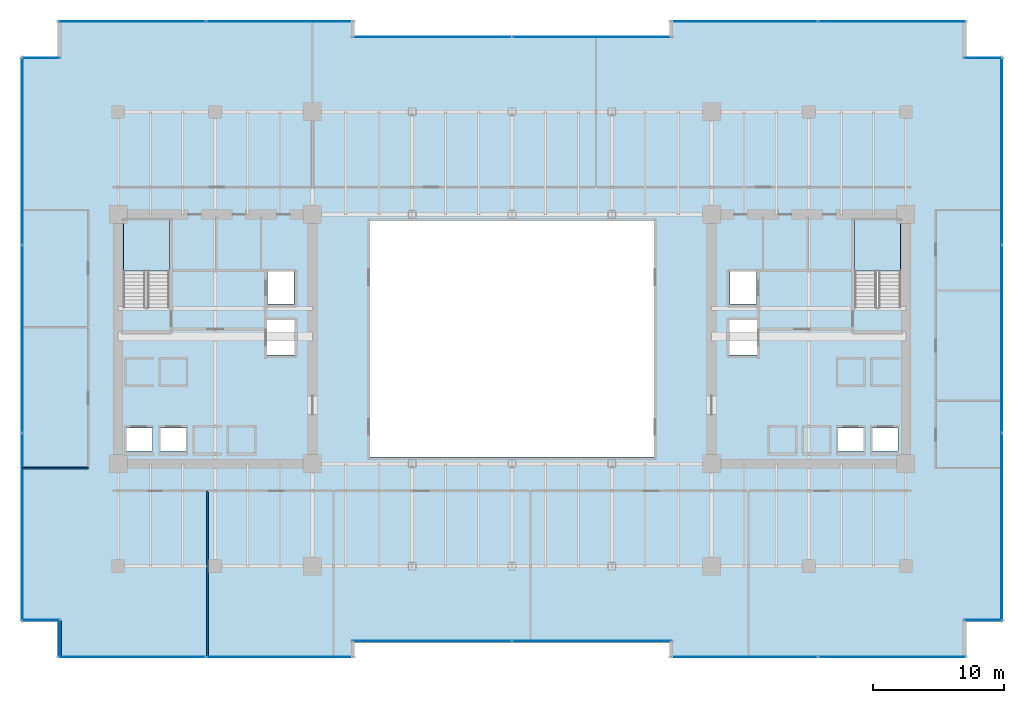
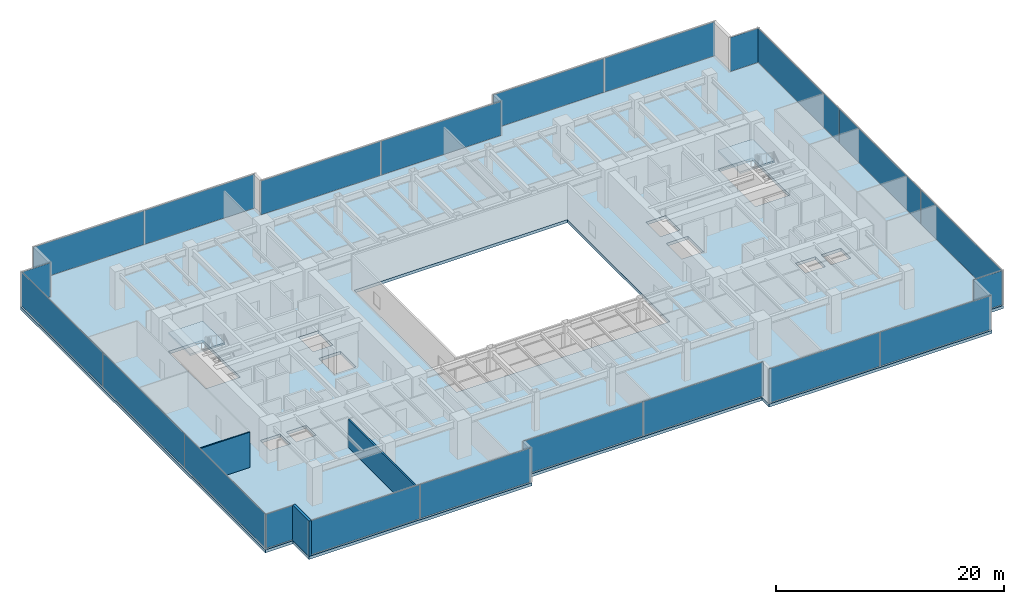
# One storey, part 28 of 35: 22 plates, 3 slabs, 3 walls, 14 elements without a shape of their own.
"""IFC4 building model written with IfcOpenShell, lengths in metres."""

from ifc_helpers import new_model, si_unit, direction, frame, frame_2d, origin, origin_2d, place, context, subcontext, project, spatial, polyline, rectangle, outline, extrude, source, transform, mapped, material, layer, layer_set, type_object, type_shapes, element, aggregate, save


model = new_model("IFC4")

# Units and contexts
model_context = context("Model", 3, precision=1e-05, world=origin(), true_north=direction((0.0, 1.0)))
body_context = subcontext(model_context, "Body", "Model", "MODEL_VIEW")
ifc_project = project(units=[si_unit("LENGTHUNIT", "METRE"), si_unit("AREAUNIT", "SQUARE_METRE"), si_unit("VOLUMEUNIT", "CUBIC_METRE"), si_unit("PLANEANGLEUNIT", "RADIAN"), si_unit("MASSUNIT", "GRAM", prefix="KILO")], contexts=[model_context])

# Site, building, storey
site_placement = place(None, origin())
site = spatial("IfcSite", under=ifc_project, at=site_placement, CompositionType="ELEMENT")
building_placement = place(site_placement, origin())
building = spatial("IfcBuilding", under=site, at=building_placement, Name="Haelvirn Gate Laboratories", CompositionType="ELEMENT")
storey_placement = place(building_placement, frame((0.0, 0.0, 45.699951171875)))
storey = spatial("IfcBuildingStorey", under=building, at=storey_placement, Name="L11", CompositionType="ELEMENT", Elevation=45.699951171875)

# Stair, slab
ifc_material_1 = material(Name="Concrete C40/50", Category="concrete")
stair_type = type_object("IfcStairType", Name="ST-DOG-1650-R22", PredefinedType="HALF_TURN_STAIR", material=ifc_material_1)
stair_1_placement = place(storey_placement, origin())
stair_1 = element("IfcStair", 1, at=stair_1_placement, inside=storey, type_object=stair_type, Name="L11 Escape Stair ST1", PredefinedType="HALF_TURN_STAIR")
ifc_layer_1 = layer(ifc_material_1, 0.199951171875, Name="SL-STAIR-LND")
ifc_layer_set_1 = layer_set([ifc_layer_1], Name="Concrete C40/50")
slab_type_1 = type_object("IfcSlabType", Name="SL-STAIR-LND", PredefinedType="LANDING", material=ifc_layer_set_1)
slab_1_placement = place(storey_placement, frame((0.0, 0.0, 1.85009765625)))
slab_1 = element("IfcSlab", 2, at=slab_1_placement, type_object=slab_type_1, Name="ST1 landing 1", PredefinedType="LANDING", context=body_context, shape_type="SweptSolid", body=[
    extrude(outline(polyline([(11.300048828125, 29.5), (11.300048828125, 33.35009765625), (7.800048828125, 33.35009765625), (7.800048828125, 29.5), (11.300048828125, 29.5)])), origin(), (0.0, 0.0, 1.0), 0.199951171875),
])
aggregate(stair_1, [slab_1])

stair_2_placement = place(storey_placement, origin())
stair_2 = element("IfcStair", 3, at=stair_2_placement, inside=storey, type_object=stair_type, Name="L11 Escape Stair ST2", PredefinedType="HALF_TURN_STAIR")
slab_2_placement = place(storey_placement, frame((0.0, 0.0, 1.85009765625)))
slab_2 = element("IfcSlab", 4, at=slab_2_placement, type_object=slab_type_1, Name="ST2 landing 1", PredefinedType="LANDING", context=body_context, shape_type="SweptSolid", body=[
    extrude(outline(polyline([(67.0, 29.5), (67.0, 33.35009765625), (63.5, 33.35009765625), (63.5, 29.5), (67.0, 29.5)])), origin(), (0.0, 0.0, 1.0), 0.199951171875),
])
aggregate(stair_2, [slab_2])

# Slab
ifc_material_2 = material(Name="Concrete C50/60", Category="concrete")
ifc_layer_2 = layer(ifc_material_2, 0.320068359375, Name="SL-Z1-320")
ifc_layer_set_2 = layer_set([ifc_layer_2], Name="Concrete C50/60")
slab_type_2 = type_object("IfcSlabType", Name="SL-Z1-320", PredefinedType="FLOOR", material=ifc_layer_set_2)
slab_3_placement = place(storey_placement, frame((0.0, 0.0, -0.320068359375)))
element("IfcSlab", 5, at=slab_3_placement, inside=storey, type_object=slab_type_2, Name="L11 Structural Slab MAIN", PredefinedType="FLOOR", context=body_context, shape_type="SweptSolid", body=[
    extrude(outline(polyline([(2.800048828125, 0.0), (25.39990234375, 0.0), (25.39990234375, 1.199951171875), (49.39990234375, 1.199951171875), (49.39990234375, 0.0), (72.0, 0.0), (72.0, 2.800048828125), (74.800048828125, 2.800048828125), (74.800048828125, 45.800048828125), (72.0, 45.800048828125), (72.0, 48.60009765625), (49.39990234375, 48.60009765625), (49.39990234375, 47.39990234375), (25.39990234375, 47.39990234375), (25.39990234375, 48.60009765625), (2.800048828125, 48.60009765625), (2.800048828125, 45.800048828125), (0.0, 45.800048828125), (0.0, 2.800048828125), (2.800048828125, 2.800048828125), (2.800048828125, 0.0)]), holes=[polyline([(26.60009765625, 15.300048828125), (48.199951171875, 15.300048828125), (48.199951171875, 33.300048828125), (26.60009765625, 33.300048828125), (26.60009765625, 15.300048828125)]), polyline([(11.300048828125, 26.780029296875), (11.300048828125, 33.35009765625), (7.800048828125, 33.35009765625), (7.800048828125, 26.780029296875), (11.300048828125, 26.780029296875)]), polyline([(67.0, 26.780029296875), (67.0, 33.35009765625), (63.5, 33.35009765625), (63.5, 26.780029296875), (67.0, 26.780029296875)]), polyline([(7.989990234375, 15.77001953125), (10.010009765625, 15.77001953125), (10.010009765625, 17.510009765625), (7.989990234375, 17.510009765625), (7.989990234375, 15.77001953125)]), polyline([(10.590087890625, 15.77001953125), (12.610107421875, 15.77001953125), (12.610107421875, 17.510009765625), (10.590087890625, 17.510009765625), (10.590087890625, 15.77001953125)]), polyline([(18.7900390625, 26.969970703125), (20.81005859375, 26.969970703125), (20.81005859375, 29.510009765625), (18.7900390625, 29.510009765625), (18.7900390625, 26.969970703125)]), polyline([(18.68994140625, 23.070068359375), (20.909912109375, 23.070068359375), (20.909912109375, 25.81005859375), (18.68994140625, 25.81005859375), (18.68994140625, 23.070068359375)]), polyline([(64.7900390625, 15.77001953125), (66.81005859375, 15.77001953125), (66.81005859375, 17.510009765625), (64.7900390625, 17.510009765625), (64.7900390625, 15.77001953125)]), polyline([(62.18994140625, 15.77001953125), (64.2099609375, 15.77001953125), (64.2099609375, 17.510009765625), (62.18994140625, 17.510009765625), (62.18994140625, 15.77001953125)]), polyline([(53.989990234375, 26.969970703125), (56.010009765625, 26.969970703125), (56.010009765625, 29.510009765625), (53.989990234375, 29.510009765625), (53.989990234375, 26.969970703125)]), polyline([(53.889892578125, 23.070068359375), (56.110107421875, 23.070068359375), (56.110107421875, 25.81005859375), (53.889892578125, 25.81005859375), (53.889892578125, 23.070068359375)])]), origin(), (0.0, 0.0, 1.0), 0.320068359375),
])

# Curtain wall, plates
ifc_material_3 = material(Name="Anodised bronze unitised aluminium & triple low-E glass", Category="aluminium")
ifc_layer_3 = layer(ifc_material_3, 0.18408203125, Name="CW-SYS-2")
ifc_layer_set_3 = layer_set([ifc_layer_3], Name="Anodised bronze unitised aluminium & triple low-E glass")
curtain_wall_type_1 = type_object("IfcCurtainWallType", Name="CW-SYS-2", PredefinedType="NOTDEFINED", material=ifc_layer_set_3)
curtain_wall_1_placement = place(storey_placement, origin())
curtain_wall_1 = element("IfcCurtainWall", 6, at=curtain_wall_1_placement, inside=storey, type_object=curtain_wall_type_1, Name="L11 Unitised Curtain Wall CW-L11-P0-E02-1", PredefinedType="NOTDEFINED")
ifc_material_4 = material(Name="Bronze solar-control triple low-E IGU 44 mm", Category="glass")
ifc_layer_4 = layer(ifc_material_4, 0.0439453125, Name="CWP-IGU-44")
ifc_layer_set_4 = layer_set([ifc_layer_4], Name="Bronze solar-control triple low-E IGU 44 mm")
plate_type_1 = type_object("IfcPlateType", Name="CWP-IGU-44", PredefinedType="CURTAIN_PANEL", material=ifc_layer_set_4)
shared_shape_1 = source(origin(), body_context, "Body", "SweptSolid", [
    extrude(rectangle(XDim=12.12744140625, YDim=0.0439453125, at=origin_2d()), origin(), (0.0, 0.0, 1.0), 3.639892578125),
])
plate_1_placement = place(storey_placement, frame((31.298828125, 1.300048828125, 0.0703125), z_axis=(0.0, 0.0, 1.0), x_axis=(1.0, 0.0, 0.0)))
plate_1 = element("IfcPlate", 7, at=plate_1_placement, type_object=plate_type_1, Name="CW2 panel 1.1", PredefinedType="CURTAIN_PANEL", context=body_context, shape_type="MappedRepresentation", body=[
    mapped(shared_shape_1, transform((0.0, 0.0, 0.0), scale=1.0)),
])
plate_2_placement = place(storey_placement, frame((43.501220703125, 1.300048828125, 0.0703125), z_axis=(0.0, 0.0, 1.0), x_axis=(1.0, 0.0, 0.0)))
plate_2 = element("IfcPlate", 8, at=plate_2_placement, type_object=plate_type_1, Name="CW2 panel 2.1", PredefinedType="CURTAIN_PANEL", context=body_context, shape_type="MappedRepresentation", body=[
    mapped(shared_shape_1, transform((0.0, 0.0, 0.0), scale=1.0)),
])
aggregate(curtain_wall_1, [plate_1, plate_2])

curtain_wall_2_placement = place(storey_placement, origin())
curtain_wall_2 = element("IfcCurtainWall", 9, at=curtain_wall_2_placement, inside=storey, type_object=curtain_wall_type_1, Name="L11 Unitised Curtain Wall CW-L11-P0-E12-1", PredefinedType="NOTDEFINED")
plate_3_placement = place(storey_placement, frame((31.298828125, 47.300048828125, 0.0703125), z_axis=(0.0, 0.0, 1.0), x_axis=(1.0, 0.0, 0.0)))
plate_3 = element("IfcPlate", 10, at=plate_3_placement, type_object=plate_type_1, Name="CW2 panel 1.1", PredefinedType="CURTAIN_PANEL", context=body_context, shape_type="MappedRepresentation", body=[
    mapped(shared_shape_1, transform((0.0, 0.0, 0.0), scale=1.0)),
])
plate_4_placement = place(storey_placement, frame((43.501220703125, 47.300048828125, 0.0703125), z_axis=(0.0, 0.0, 1.0), x_axis=(1.0, 0.0, 0.0)))
plate_4 = element("IfcPlate", 11, at=plate_4_placement, type_object=plate_type_1, Name="CW2 panel 2.1", PredefinedType="CURTAIN_PANEL", context=body_context, shape_type="MappedRepresentation", body=[
    mapped(shared_shape_1, transform((0.0, 0.0, 0.0), scale=1.0)),
])
aggregate(curtain_wall_2, [plate_3, plate_4])

curtain_wall_3_placement = place(storey_placement, origin())
curtain_wall_3 = element("IfcCurtainWall", 12, at=curtain_wall_3_placement, inside=storey, type_object=curtain_wall_type_1, Name="L11 Unitised Curtain Wall CW-L11-P0-E00-1", PredefinedType="NOTDEFINED")
shared_shape_2 = source(origin(), body_context, "Body", "SweptSolid", [
    extrude(rectangle(XDim=11.1875, YDim=0.0439453125, at=origin_2d()), origin(), (0.0, 0.0, 1.0), 3.639892578125),
])
plate_5_placement = place(storey_placement, frame((8.46875, 0.10009765625, 0.0703125), z_axis=(0.0, 0.0, 1.0), x_axis=(1.0, 0.0, 0.0)))
plate_5 = element("IfcPlate", 13, at=plate_5_placement, type_object=plate_type_1, Name="CW2 panel 1.1", PredefinedType="CURTAIN_PANEL", context=body_context, shape_type="MappedRepresentation", body=[
    mapped(shared_shape_2, transform((0.0, 0.0, 0.0), scale=1.0)),
])
plate_6_placement = place(storey_placement, frame((19.731201171875, 0.10009765625, 0.0703125), z_axis=(0.0, 0.0, 1.0), x_axis=(1.0, 0.0, 0.0)))
plate_6 = element("IfcPlate", 14, at=plate_6_placement, type_object=plate_type_1, Name="CW2 panel 2.1", PredefinedType="CURTAIN_PANEL", context=body_context, shape_type="MappedRepresentation", body=[
    mapped(shared_shape_2, transform((0.0, 0.0, 0.0), scale=1.0)),
])
aggregate(curtain_wall_3, [plate_5, plate_6])

curtain_wall_4_placement = place(storey_placement, origin())
curtain_wall_4 = element("IfcCurtainWall", 15, at=curtain_wall_4_placement, inside=storey, type_object=curtain_wall_type_1, Name="L11 Unitised Curtain Wall CW-L11-P0-E04-1", PredefinedType="NOTDEFINED")
plate_7_placement = place(storey_placement, frame((55.06884765625, 0.10009765625, 0.0703125), z_axis=(0.0, 0.0, 1.0), x_axis=(1.0, 0.0, 0.0)))
plate_7 = element("IfcPlate", 16, at=plate_7_placement, type_object=plate_type_1, Name="CW2 panel 1.1", PredefinedType="CURTAIN_PANEL", context=body_context, shape_type="MappedRepresentation", body=[
    mapped(shared_shape_2, transform((0.0, 0.0, 0.0), scale=1.0)),
])
plate_8_placement = place(storey_placement, frame((66.331298828125, 0.10009765625, 0.0703125), z_axis=(0.0, 0.0, 1.0), x_axis=(1.0, 0.0, 0.0)))
plate_8 = element("IfcPlate", 17, at=plate_8_placement, type_object=plate_type_1, Name="CW2 panel 2.1", PredefinedType="CURTAIN_PANEL", context=body_context, shape_type="MappedRepresentation", body=[
    mapped(shared_shape_2, transform((0.0, 0.0, 0.0), scale=1.0)),
])
aggregate(curtain_wall_4, [plate_7, plate_8])

curtain_wall_5_placement = place(storey_placement, origin())
curtain_wall_5 = element("IfcCurtainWall", 18, at=curtain_wall_5_placement, inside=storey, type_object=curtain_wall_type_1, Name="L11 Unitised Curtain Wall CW-L11-P0-E10-1", PredefinedType="NOTDEFINED")
plate_9_placement = place(storey_placement, frame((55.06884765625, 48.5, 0.0703125), z_axis=(0.0, 0.0, 1.0), x_axis=(1.0, 0.0, 0.0)))
plate_9 = element("IfcPlate", 19, at=plate_9_placement, type_object=plate_type_1, Name="CW2 panel 1.1", PredefinedType="CURTAIN_PANEL", context=body_context, shape_type="MappedRepresentation", body=[
    mapped(shared_shape_2, transform((0.0, 0.0, 0.0), scale=1.0)),
])
plate_10_placement = place(storey_placement, frame((66.331298828125, 48.5, 0.0703125), z_axis=(0.0, 0.0, 1.0), x_axis=(1.0, 0.0, 0.0)))
plate_10 = element("IfcPlate", 20, at=plate_10_placement, type_object=plate_type_1, Name="CW2 panel 2.1", PredefinedType="CURTAIN_PANEL", context=body_context, shape_type="MappedRepresentation", body=[
    mapped(shared_shape_2, transform((0.0, 0.0, 0.0), scale=1.0)),
])
aggregate(curtain_wall_5, [plate_9, plate_10])

curtain_wall_6_placement = place(storey_placement, origin())
curtain_wall_6 = element("IfcCurtainWall", 21, at=curtain_wall_6_placement, inside=storey, type_object=curtain_wall_type_1, Name="L11 Unitised Curtain Wall CW-L11-P0-E14-1", PredefinedType="NOTDEFINED")
plate_11_placement = place(storey_placement, frame((8.46875, 48.5, 0.0703125), z_axis=(0.0, 0.0, 1.0), x_axis=(1.0, 0.0, 0.0)))
plate_11 = element("IfcPlate", 22, at=plate_11_placement, type_object=plate_type_1, Name="CW2 panel 1.1", PredefinedType="CURTAIN_PANEL", context=body_context, shape_type="MappedRepresentation", body=[
    mapped(shared_shape_2, transform((0.0, 0.0, 0.0), scale=1.0)),
])
plate_12_placement = place(storey_placement, frame((19.731201171875, 48.5, 0.0703125), z_axis=(0.0, 0.0, 1.0), x_axis=(1.0, 0.0, 0.0)))
plate_12 = element("IfcPlate", 23, at=plate_12_placement, type_object=plate_type_1, Name="CW2 panel 2.1", PredefinedType="CURTAIN_PANEL", context=body_context, shape_type="MappedRepresentation", body=[
    mapped(shared_shape_2, transform((0.0, 0.0, 0.0), scale=1.0)),
])
aggregate(curtain_wall_6, [plate_11, plate_12])

# Curtain wall, plate
ifc_layer_5 = layer(ifc_material_3, 0.181884765625, Name="CW-SYS-5")
ifc_layer_set_5 = layer_set([ifc_layer_5], Name="Anodised bronze unitised aluminium & triple low-E glass")
curtain_wall_type_2 = type_object("IfcCurtainWallType", Name="CW-SYS-5", PredefinedType="NOTDEFINED", material=ifc_layer_set_5)
curtain_wall_7_placement = place(storey_placement, origin())
curtain_wall_7 = element("IfcCurtainWall", 24, at=curtain_wall_7_placement, inside=storey, type_object=curtain_wall_type_2, Name="L11 Unitised Curtain Wall CW-L11-P0-E06-1", PredefinedType="NOTDEFINED")
ifc_material_5 = material(Name="Clear low-iron notched-corner triple IGU 42 mm", Category="glass")
ifc_layer_6 = layer(ifc_material_5, 0.0419921875, Name="CWP-NTC-42")
ifc_layer_set_6 = layer_set([ifc_layer_6], Name="Clear low-iron notched-corner triple IGU 42 mm")
plate_type_2 = type_object("IfcPlateType", Name="CWP-NTC-42", PredefinedType="CURTAIN_PANEL", material=ifc_layer_set_6)
shared_shape_3 = source(origin(), body_context, "Body", "SweptSolid", [
    extrude(rectangle(XDim=2.8798828125, YDim=0.0419921875, at=origin_2d()), origin(), (0.0, 0.0, 1.0), 3.64990234375),
])
type_shapes(plate_type_2, [shared_shape_3])
plate_13_placement = place(storey_placement, frame((73.280029296875, 2.89990234375, 0.065185546875), z_axis=(0.0, 0.0, 1.0), x_axis=(1.0, 0.0, 0.0)))
plate_13 = element("IfcPlate", 25, at=plate_13_placement, type_object=plate_type_2, Name="CW5 panel 1.1", PredefinedType="CURTAIN_PANEL", context=body_context, shape_type="MappedRepresentation", body=[
    mapped(shared_shape_3, transform((0.0, 0.0, 0.0), scale=1.0)),
])
aggregate(curtain_wall_7, [plate_13])

curtain_wall_8_placement = place(storey_placement, origin())
curtain_wall_8 = element("IfcCurtainWall", 26, at=curtain_wall_8_placement, inside=storey, type_object=curtain_wall_type_2, Name="L11 Unitised Curtain Wall CW-L11-P0-E08-1", PredefinedType="NOTDEFINED")
plate_14_placement = place(storey_placement, frame((73.280029296875, 45.699951171875, 0.065185546875), z_axis=(0.0, 0.0, 1.0), x_axis=(1.0, 0.0, 0.0)))
plate_14 = element("IfcPlate", 27, at=plate_14_placement, type_object=plate_type_2, Name="CW5 panel 1.1", PredefinedType="CURTAIN_PANEL", context=body_context, shape_type="MappedRepresentation", body=[
    mapped(shared_shape_3, transform((0.0, 0.0, 0.0), scale=1.0)),
])
aggregate(curtain_wall_8, [plate_14])

curtain_wall_9_placement = place(storey_placement, origin())
curtain_wall_9 = element("IfcCurtainWall", 28, at=curtain_wall_9_placement, inside=storey, type_object=curtain_wall_type_2, Name="L11 Unitised Curtain Wall CW-L11-P0-E16-1", PredefinedType="NOTDEFINED")
plate_15_placement = place(storey_placement, frame((1.52001953125, 45.699951171875, 0.065185546875), z_axis=(0.0, 0.0, 1.0), x_axis=(1.0, 0.0, 0.0)))
plate_15 = element("IfcPlate", 29, at=plate_15_placement, type_object=plate_type_2, Name="CW5 panel 1.1", PredefinedType="CURTAIN_PANEL", context=body_context, shape_type="MappedRepresentation", body=[
    mapped(shared_shape_3, transform((0.0, 0.0, 0.0), scale=1.0)),
])
aggregate(curtain_wall_9, [plate_15])

curtain_wall_10_placement = place(storey_placement, origin())
curtain_wall_10 = element("IfcCurtainWall", 30, at=curtain_wall_10_placement, inside=storey, type_object=curtain_wall_type_2, Name="L11 Unitised Curtain Wall CW-L11-P0-E18-1", PredefinedType="NOTDEFINED")
plate_16_placement = place(storey_placement, frame((1.52001953125, 2.89990234375, 0.065185546875), z_axis=(0.0, 0.0, 1.0), x_axis=(1.0, 0.0, 0.0)))
plate_16 = element("IfcPlate", 31, at=plate_16_placement, type_object=plate_type_2, Name="CW5 panel 1.1", PredefinedType="CURTAIN_PANEL", context=body_context, shape_type="MappedRepresentation", body=[
    mapped(shared_shape_3, transform((0.0, 0.0, 0.0), scale=1.0)),
])
aggregate(curtain_wall_10, [plate_16])

# Curtain wall, plates
curtain_wall_11_placement = place(storey_placement, origin())
curtain_wall_11 = element("IfcCurtainWall", 32, at=curtain_wall_11_placement, inside=storey, type_object=curtain_wall_type_1, Name="L11 Unitised Curtain Wall CW-L11-P0-E07", PredefinedType="NOTDEFINED")
shared_shape_4 = source(origin(), body_context, "Body", "SweptSolid", [
    extrude(rectangle(XDim=14.220947265625, YDim=0.0439453125, at=origin_2d()), origin(), (0.0, 0.0, 1.0), 3.639892578125),
])
plate_17_placement = place(storey_placement, frame((74.699951171875, 9.9853515625, 0.0703125), z_axis=(0.0, 0.0, 1.0), x_axis=(0.0, 1.0, 0.0)))
plate_17 = element("IfcPlate", 33, at=plate_17_placement, type_object=plate_type_1, Name="CW2 panel 1.1", PredefinedType="CURTAIN_PANEL", context=body_context, shape_type="MappedRepresentation", body=[
    mapped(shared_shape_4, transform((0.0, 0.0, 0.0), scale=1.0)),
])
plate_18_placement = place(storey_placement, frame((74.699951171875, 38.614501953125, 0.0703125), z_axis=(0.0, 0.0, 1.0), x_axis=(0.0, 1.0, 0.0)))
plate_18 = element("IfcPlate", 34, at=plate_18_placement, type_object=plate_type_1, Name="CW2 panel 3.1", PredefinedType="CURTAIN_PANEL", context=body_context, shape_type="MappedRepresentation", body=[
    mapped(shared_shape_4, transform((0.0, 0.0, 0.0), scale=1.0)),
])

curtain_wall_12_placement = place(storey_placement, origin())
curtain_wall_12 = element("IfcCurtainWall", 35, at=curtain_wall_12_placement, inside=storey, type_object=curtain_wall_type_1, Name="L11 Unitised Curtain Wall CW-L11-P0-E17", PredefinedType="NOTDEFINED")
plate_19_placement = place(storey_placement, frame((0.10009765625, 38.614501953125, 0.0703125), z_axis=(0.0, 0.0, 1.0), x_axis=(0.0, -1.0, 0.0)))
plate_19 = element("IfcPlate", 36, at=plate_19_placement, type_object=plate_type_1, Name="CW2 panel 1.1", PredefinedType="CURTAIN_PANEL", context=body_context, shape_type="MappedRepresentation", body=[
    mapped(shared_shape_4, transform((0.0, 0.0, 0.0), scale=1.0)),
])
plate_20_placement = place(storey_placement, frame((0.10009765625, 9.9853515625, 0.0703125), z_axis=(0.0, 0.0, 1.0), x_axis=(0.0, -1.0, 0.0)))
plate_20 = element("IfcPlate", 37, at=plate_20_placement, type_object=plate_type_1, Name="CW2 panel 3.1", PredefinedType="CURTAIN_PANEL", context=body_context, shape_type="MappedRepresentation", body=[
    mapped(shared_shape_4, transform((0.0, 0.0, 0.0), scale=1.0)),
])

# Plate
shared_shape_5 = source(origin(), body_context, "Body", "SweptSolid", [
    extrude(rectangle(XDim=14.25830078125, YDim=0.0439453125, at=origin_2d()), origin(), (0.0, 0.0, 1.0), 3.639892578125),
])
type_shapes(plate_type_1, [shared_shape_1, shared_shape_2, shared_shape_4, shared_shape_5])
plate_21_placement = place(storey_placement, frame((74.699951171875, 24.300048828125, 0.0703125), z_axis=(0.0, 0.0, 1.0), x_axis=(0.0, 1.0, 0.0)))
plate_21 = element("IfcPlate", 38, at=plate_21_placement, type_object=plate_type_1, Name="CW2 panel 2.1", PredefinedType="CURTAIN_PANEL", context=body_context, shape_type="MappedRepresentation", body=[
    mapped(shared_shape_5, transform((0.0, 0.0, 0.0), scale=1.0)),
])

aggregate(curtain_wall_11, [plate_17, plate_21, plate_18])

plate_22_placement = place(storey_placement, frame((0.10009765625, 24.300048828125, 0.0703125), z_axis=(0.0, 0.0, 1.0), x_axis=(0.0, -1.0, 0.0)))
plate_22 = element("IfcPlate", 39, at=plate_22_placement, type_object=plate_type_1, Name="CW2 panel 2.1", PredefinedType="CURTAIN_PANEL", context=body_context, shape_type="MappedRepresentation", body=[
    mapped(shared_shape_5, transform((0.0, 0.0, 0.0), scale=1.0)),
])

aggregate(curtain_wall_12, [plate_19, plate_22, plate_20])

# Walls
ifc_material_6 = material(Name="Thermally-broken bronze aluminium rainscreen & mineral wool", Category="aluminium")
ifc_layer_7 = layer(ifc_material_6, 0.280029296875, Name="EW-TERR-280")
ifc_layer_set_7 = layer_set([ifc_layer_7], Name="Thermally-broken bronze aluminium rainscreen & mineral wool")
wall_type_1 = type_object("IfcWallType", Name="EW-TERR-280", PredefinedType="STANDARD", material=ifc_layer_set_7)
wall_1_placement = place(storey_placement, frame((2.93994140625, 2.887939453125, 0.0), z_axis=(0.0, 0.0, 1.0), x_axis=(0.0, -1.0, 0.0)))
element("IfcWall", 40, at=wall_1_placement, inside=storey, type_object=wall_type_1, Name="L11 Atrium Recess Bronze Return Wall 19", PredefinedType="STANDARD", context=body_context, shape_type="SweptSolid", body=[
    extrude(rectangle(XDim=2.887939453125, YDim=0.280029296875, at=frame_2d((1.44384765625, 0.0))), origin(), (0.0, 0.0, 1.0), 3.780029296875),
])
ifc_material_7 = material(Name="Double-layer acoustic gypsum laboratory partition", Category="gypsum")
ifc_layer_8 = layer(ifc_material_7, 0.159912109375, Name="IW-ACOUST-160")
ifc_layer_set_8 = layer_set([ifc_layer_8], Name="Double-layer acoustic gypsum laboratory partition")
wall_type_2 = type_object("IfcWallType", Name="IW-ACOUST-160", PredefinedType="PARTITIONING", material=ifc_layer_set_8)
wall_2_placement = place(storey_placement, frame((14.199951171875, 0.110107421875, 0.0), z_axis=(0.0, 0.0, 1.0), x_axis=(0.0, 1.0, 0.0)))
element("IfcWall", 41, at=wall_2_placement, inside=storey, type_object=wall_type_2, Name="L11 Interior Wall IW-L11-SDIV-01", PredefinedType="PARTITIONING", context=body_context, shape_type="SweptSolid", body=[
    extrude(rectangle(XDim=12.6298828125, YDim=0.159912109375, at=frame_2d((6.31494140625, 0.0))), origin(), (0.0, 0.0, 1.0), 3.01513671875),
])
ifc_material_8 = material(Name="Lightweight acoustic gypsum board partition", Category="gypsum")
ifc_layer_9 = layer(ifc_material_8, 0.1201171875, Name="IW-PART-120")
ifc_layer_set_9 = layer_set([ifc_layer_9], Name="Lightweight acoustic gypsum board partition")
wall_type_3 = type_object("IfcWallType", Name="IW-PART-120", PredefinedType="PARTITIONING", material=ifc_layer_set_9)
wall_3_placement = place(storey_placement, frame((0.110107421875, 14.465087890625, 0.0), z_axis=(0.0, 0.0, 1.0), x_axis=(1.0, 0.0, 0.0)))
element("IfcWall", 42, at=wall_3_placement, inside=storey, type_object=wall_type_3, Name="L11 Interior Wall IW-L11-WCAP-S", PredefinedType="PARTITIONING", context=body_context, shape_type="SweptSolid", body=[
    extrude(rectangle(XDim=5.019775390625, YDim=0.1201171875, at=frame_2d((2.509765625, 0.0))), origin(), (0.0, 0.0, 1.0), 3.780029296875),
])

save(model, "model.ifc")
